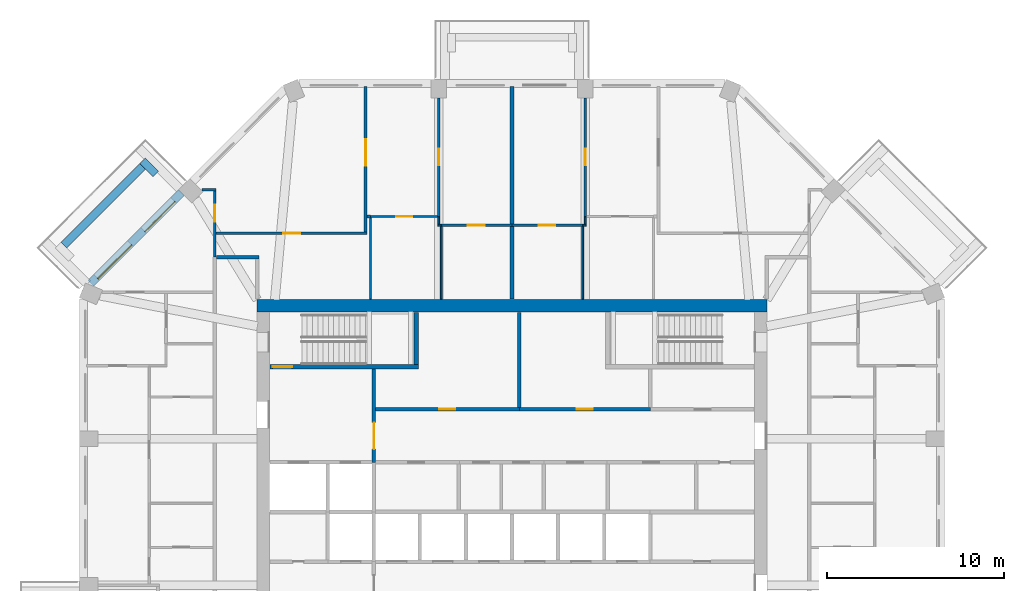
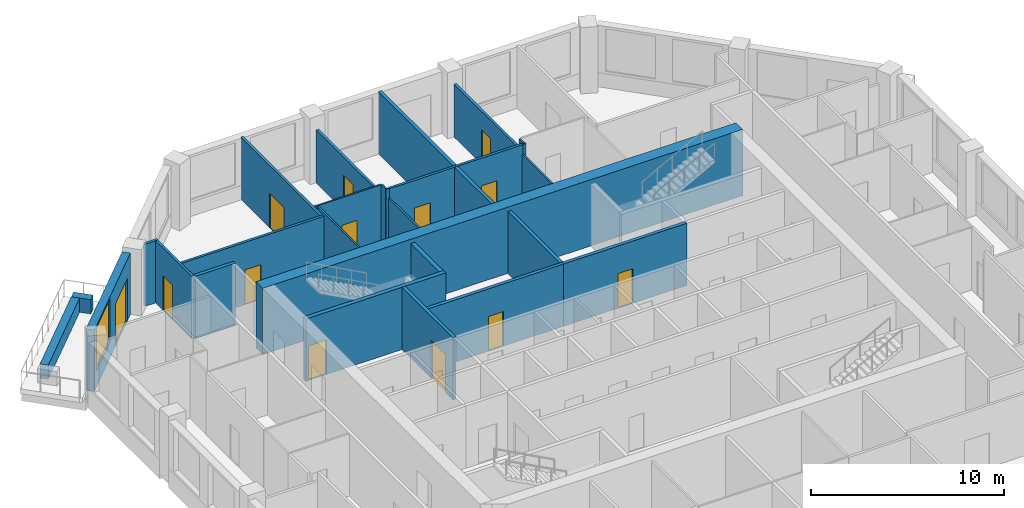
# One storey, part 7 of 10: 29 walls, 13 doors, 1 window, 14 openings.
"""IFC4 building model written with IfcOpenShell, lengths in metres."""

from ifc_helpers import new_model, si_unit, direction, frame, frame_2d, origin, place, context, subcontext, project, spatial, rectangle, extrude, material, layer, layer_set, type_object, element, fill, save


model = new_model("IFC4")

# Units and contexts
model_context = context("Model", 3, precision=1e-05, world=origin(), true_north=direction((0.0, 1.0)))
body_context = subcontext(model_context, "Body", "Model", "MODEL_VIEW")
ifc_project = project(units=[si_unit("LENGTHUNIT", "METRE"), si_unit("AREAUNIT", "SQUARE_METRE"), si_unit("VOLUMEUNIT", "CUBIC_METRE"), si_unit("PLANEANGLEUNIT", "RADIAN"), si_unit("MASSUNIT", "GRAM", prefix="KILO")], contexts=[model_context])

# Site, building, storey
site_placement = place(None, origin())
site = spatial("IfcSite", under=ifc_project, at=site_placement, CompositionType="ELEMENT")
building_placement = place(site_placement, origin())
building = spatial("IfcBuilding", under=site, at=building_placement, Name="Msitu Wima Residences", CompositionType="ELEMENT")
storey_placement = place(building_placement, frame((0.0, 0.0, 191.699951171875)))
storey = spatial("IfcBuildingStorey", under=building, at=storey_placement, Name="L44", CompositionType="ELEMENT", Elevation=191.699951171875)

# Walls
ifc_material_1 = material(Name="Facing brick")
ifc_layer_1 = layer(ifc_material_1, 0.06494140625, Name="Facing brick")
ifc_material_2 = material(Name="Concrete C40/50", Category="concrete")
ifc_layer_2 = layer(ifc_material_2, 0.156005859375, Name="Concrete C40/50")
ifc_material_3 = material(Name="Waterproofing membrane")
ifc_layer_3 = layer(ifc_material_3, 0.00390625, Name="Waterproofing membrane")
ifc_material_4 = material(Name="Planting soil and planting")
ifc_layer_4 = layer(ifc_material_4, 0.22509765625, Name="Planting soil and planting")
ifc_layer_set_1 = layer_set([ifc_layer_1, ifc_layer_2, ifc_layer_3, ifc_layer_4], Name="Concrete C40/50")
wall_type_1 = type_object("IfcWallType", Name="Balcony planter PLANTER PL450", PredefinedType="USERDEFINED", material=ifc_layer_set_1)
wall_1_placement = place(storey_placement, frame((-20.875244140625, 19.53173828125, 0.0), z_axis=(0.0, 0.0, 1.0), x_axis=(-0.707106781187, -0.707106781187, 0.0)))
element("IfcWall", 1, at=wall_1_placement, inside=storey, type_object=wall_type_1, Name="Balcony planter NW1 L44", ObjectType="PLANTER", PredefinedType="USERDEFINED", context=body_context, shape_type="SweptSolid", body=[
    extrude(rectangle(XDim=6.294189453125, YDim=0.449951171875, at=frame_2d((3.14697265625, 0.0))), origin(), (0.0, 0.0, 1.0), 0.900146484375),
])
wall_2_placement = place(storey_placement, frame((-20.1328125, 19.107421875, 0.0), z_axis=(0.0, 0.0, 1.0), x_axis=(-0.707106781187, 0.707106781187, 0.0)))
element("IfcWall", 2, at=wall_2_placement, inside=storey, type_object=wall_type_1, Name="Balcony planter NW1 L44", ObjectType="PLANTER", PredefinedType="USERDEFINED", context=body_context, shape_type="SweptSolid", body=[
    extrude(rectangle(XDim=1.050048828125, YDim=0.449951171875, at=frame_2d((0.52490234375, 0.0))), origin(), (0.0, 0.0, 1.0), 0.900146484375),
])

# Wall, openings, door, window
ifc_material_5 = material(Name="Brick (red buff mix)", Category="masonry")
ifc_layer_5 = layer(ifc_material_5, 0.449951171875)
ifc_layer_set_2 = layer_set([ifc_layer_5], Name="Brick (red buff mix)")
wall_type_2 = type_object("IfcWallType", Name="Brick infill wall BW450", PredefinedType="SOLIDWALL", material=ifc_layer_set_2)
wall_3_placement = place(storey_placement, frame((-18.68310546875, 18.046875, 0.0), z_axis=(0.0, 0.0, 1.0), x_axis=(-0.707106781187, -0.707106781187, 0.0)))
wall_3 = element("IfcWall", 3, at=wall_3_placement, inside=storey, type_object=wall_type_2, Name="Brick infill wall L44 NW1", PredefinedType="SOLIDWALL", context=body_context, shape_type="SweptSolid", body=[
    extrude(rectangle(XDim=7.257080078125, YDim=0.449951171875, at=frame_2d((3.62841796875, 0.0))), origin(), (0.0, 0.0, 1.0), 3.900146484375),
])
opening_1_placement = place(wall_3_placement, frame((0.6142578125, 0.0, 0.0)))
opening_1 = element("IfcOpeningElement", 4, at=opening_1_placement, cuts=wall_3, Name="Opening D43-45.004", PredefinedType="OPENING", context=body_context, shape_type="SweptSolid", body=[
    extrude(rectangle(XDim=2.39990234375, YDim=2.699951171875, at=frame_2d((1.199951171875, 1.35009765625))), frame((0.0, 0.23486328125, 0.0), z_axis=(0.0, -1.0, 0.0), x_axis=(1.0, 0.0, 0.0)), (0.0, 0.0, 1.0), 0.469970703125),
])
opening_2_placement = place(wall_3_placement, frame((4.07861328125, 0.0, 1.050048828125)))
opening_2 = element("IfcOpeningElement", 5, at=opening_2_placement, cuts=wall_3, Name="Opening W43-45.016", PredefinedType="OPENING", context=body_context, shape_type="SweptSolid", body=[
    extrude(rectangle(XDim=2.699951171875, YDim=2.699951171875, at=frame_2d((1.35009765625, 1.35009765625))), frame((0.0, 0.23486328125, 0.0), z_axis=(0.0, -1.0, 0.0), x_axis=(1.0, 0.0, 0.0)), (0.0, 0.0, 1.0), 0.469970703125),
])
ifc_material_6 = material(Name="Anodised aluminium, bronze finish, clear low-emissivity double glazing", Category="aluminium")
door_type_1 = type_object("IfcDoorType", Name="Balcony door D2400x2700", OperationType="SLIDING_TO_LEFT", PredefinedType="DOOR", material=ifc_material_6)
door_1_placement = place(opening_1_placement, origin())
door_1 = element("IfcDoor", 6, at=door_1_placement, inside=storey, type_object=door_type_1, Name="Balcony door L44 NW1", OperationType="SINGLE_SWING_LEFT", OverallHeight=2.699951171875, OverallWidth=2.39990234375, PredefinedType="DOOR", context=body_context, shape_type="SweptSolid", body=[
    extrude(rectangle(XDim=2.39990234375, YDim=2.699951171875, at=frame_2d((1.199951171875, 1.35009765625))), frame((0.0, 0.1298828125, 0.0), z_axis=(0.0, -1.0, 0.0), x_axis=(1.0, 0.0, 0.0)), (0.0, 0.0, 1.0), 0.050048828125),
])
fill(opening_1, door_1)
window_type = type_object("IfcWindowType", Name="Window W2700x2700", PartitioningType="DOUBLE_PANEL_VERTICAL", PredefinedType="WINDOW", material=ifc_material_6)
window_placement = place(opening_2_placement, origin())
window = element("IfcWindow", 7, at=window_placement, inside=storey, type_object=window_type, Name="Window L44 NW1.2", OverallHeight=2.699951171875, OverallWidth=2.699951171875, PartitioningType="SINGLE_PANEL", PredefinedType="WINDOW", context=body_context, shape_type="SweptSolid", body=[
    extrude(rectangle(XDim=2.699951171875, YDim=2.699951171875, at=frame_2d((1.35009765625, 1.35009765625))), frame((0.0, 0.135009765625, 0.0), z_axis=(0.0, -1.0, 0.0), x_axis=(1.0, 0.0, 0.0)), (0.0, 0.0, 1.0), 0.06005859375),
])
fill(opening_2, window)

# Walls
ifc_material_7 = material(Name="Concrete C60/75", Category="concrete")
ifc_layer_6 = layer(ifc_material_7, 0.699951171875)
ifc_layer_set_3 = layer_set([ifc_layer_6], Name="Concrete C60/75")
wall_type_3 = type_object("IfcWallType", Name="Core wall CW700 C60/75", PredefinedType="SHEAR", material=ifc_layer_set_3)
wall_4_placement = place(storey_placement, frame((-14.39990234375, 11.64990234375, 0.0), z_axis=(0.0, 0.0, 1.0), x_axis=(1.0, 0.0, 0.0)))
element("IfcWall", 8, at=wall_4_placement, inside=storey, type_object=wall_type_3, Name="Core wall", PredefinedType="SHEAR", context=body_context, shape_type="SweptSolid", body=[
    extrude(rectangle(XDim=28.7998046875, YDim=0.699951171875, at=frame_2d((14.39990234375, 0.0))), origin(), (0.0, 0.0, 1.0), 4.199951171875),
])
ifc_material_8 = material(Name="Plaster")
ifc_layer_7 = layer(ifc_material_8, 0.011962890625, Name="Plaster")
ifc_material_9 = material(Name="Concrete blockwork", Category="masonry")
ifc_layer_8 = layer(ifc_material_9, 0.176025390625, Name="Concrete blockwork")
ifc_layer_9 = layer(ifc_material_8, 0.011962890625, Name="Plaster")
ifc_layer_set_4 = layer_set([ifc_layer_7, ifc_layer_8, ifc_layer_9], Name="Concrete blockwork")
wall_type_4 = type_object("IfcWallType", Name="Corridor wall FW200", PredefinedType="PARTITIONING", material=ifc_layer_set_4)
wall_5_placement = place(storey_placement, frame((-16.699951171875, 14.39990234375, 0.0), z_axis=(0.0, 0.0, 1.0), x_axis=(1.0, 0.0, 0.0)))
element("IfcWall", 9, at=wall_5_placement, inside=storey, type_object=wall_type_4, Name="Corridor wall", PredefinedType="PARTITIONING", context=body_context, shape_type="SweptSolid", body=[
    extrude(rectangle(XDim=2.39990234375, YDim=0.199951171875, at=frame_2d((1.199951171875, 0.0))), origin(), (0.0, 0.0, 1.0), 3.949951171875),
])

# Wall, opening, door
wall_6_placement = place(storey_placement, frame((-7.800048828125, 2.800048828125, 0.0), z_axis=(0.0, 0.0, 1.0), x_axis=(0.0, 1.0, 0.0)))
wall_6 = element("IfcWall", 10, at=wall_6_placement, inside=storey, type_object=wall_type_4, Name="Corridor wall", PredefinedType="PARTITIONING", context=body_context, shape_type="SweptSolid", body=[
    extrude(rectangle(XDim=5.27490234375, YDim=0.199951171875, at=frame_2d((2.637451171875, 0.0))), origin(), (0.0, 0.0, 1.0), 3.949951171875),
])
opening_3_placement = place(wall_6_placement, frame((0.75, 0.0, 0.0)))
opening_3 = element("IfcOpeningElement", 11, at=opening_3_placement, cuts=wall_6, Name="Opening D43-45.052", PredefinedType="OPENING", context=body_context, shape_type="SweptSolid", body=[
    extrude(rectangle(XDim=1.5, YDim=2.39990234375, at=frame_2d((0.75, 1.199951171875))), frame((0.0, 0.10986328125, 0.0), z_axis=(0.0, -1.0, 0.0), x_axis=(1.0, 0.0, 0.0)), (0.0, 0.0, 1.0), 0.219970703125),
])
ifc_material_10 = material(Name="Steel framed glazed door, fire resisting", Category="steel")
door_type_2 = type_object("IfcDoorType", Name="Lobby door D07 1500x2400", OperationType="DOUBLE_DOOR_SINGLE_SWING", PredefinedType="DOOR", material=ifc_material_10)
door_2_placement = place(opening_3_placement, origin())
door_2 = element("IfcDoor", 12, at=door_2_placement, inside=storey, type_object=door_type_2, Name="Lobby door", OperationType="DOUBLE_DOOR_SINGLE_SWING", OverallHeight=2.39990234375, OverallWidth=1.5, PredefinedType="DOOR", context=body_context, shape_type="SweptSolid", body=[
    extrude(rectangle(XDim=1.5, YDim=2.39990234375, at=frame_2d((0.75, 1.199951171875))), frame((0.0, 0.02490234375, 0.0), z_axis=(0.0, -1.0, 0.0), x_axis=(1.0, 0.0, 0.0)), (0.0, 0.0, 1.0), 0.050048828125),
])
fill(opening_3, door_2)

wall_7_placement = place(storey_placement, frame((-7.699951171875, 5.800048828125, 0.0), z_axis=(0.0, 0.0, 1.0), x_axis=(1.0, 0.0, 0.0)))
wall_7 = element("IfcWall", 13, at=wall_7_placement, inside=storey, type_object=wall_type_4, Name="Corridor wall", PredefinedType="PARTITIONING", context=body_context, shape_type="SweptSolid", body=[
    extrude(rectangle(XDim=8.119873046875, YDim=0.199951171875, at=frame_2d((4.06005859375, 0.0))), origin(), (0.0, 0.0, 1.0), 3.949951171875),
])
opening_4_placement = place(wall_7_placement, frame((3.60009765625, 0.0, 0.0)))
opening_4 = element("IfcOpeningElement", 14, at=opening_4_placement, cuts=wall_7, Name="Opening D43-45.055", PredefinedType="OPENING", context=body_context, shape_type="SweptSolid", body=[
    extrude(rectangle(XDim=0.89990234375, YDim=2.199951171875, at=frame_2d((0.449951171875, 1.10009765625))), frame((0.0, 0.10986328125, 0.0), z_axis=(0.0, -1.0, 0.0), x_axis=(1.0, 0.0, 0.0)), (0.0, 0.0, 1.0), 0.219970703125),
])
ifc_material_11 = material(Name="Timber flush door", Category="wood")
door_type_3 = type_object("IfcDoorType", Name="Service door D05 900x2200", OperationType="SINGLE_SWING_LEFT", PredefinedType="DOOR", material=ifc_material_11)
door_3_placement = place(opening_4_placement, origin())
door_3 = element("IfcDoor", 15, at=door_3_placement, inside=storey, type_object=door_type_3, Name="Service door", OperationType="SINGLE_SWING_LEFT", OverallHeight=2.199951171875, OverallWidth=0.89990234375, PredefinedType="DOOR", context=body_context, shape_type="SweptSolid", body=[
    extrude(rectangle(XDim=0.89990234375, YDim=2.199951171875, at=frame_2d((0.449951171875, 1.10009765625))), frame((0.0, 0.02490234375, 0.0), z_axis=(0.0, -1.0, 0.0), x_axis=(1.0, 0.0, 0.0)), (0.0, 0.0, 1.0), 0.050048828125),
])
fill(opening_4, door_3)

# Wall
ifc_layer_10 = layer(ifc_material_8, 0.011962890625, Name="Plaster")
ifc_layer_11 = layer(ifc_material_9, 0.1259765625, Name="Concrete blockwork")
ifc_layer_12 = layer(ifc_material_8, 0.011962890625, Name="Plaster")
ifc_layer_set_5 = layer_set([ifc_layer_10, ifc_layer_11, ifc_layer_12], Name="Concrete blockwork")
wall_type_5 = type_object("IfcWallType", Name="Partition PW150", PredefinedType="PARTITIONING", material=ifc_layer_set_5)
wall_8_placement = place(storey_placement, frame((-17.509521484375, 18.205810546875, 0.0), z_axis=(0.0, 0.0, 1.0), x_axis=(1.0, 0.0, 0.0)))
element("IfcWall", 16, at=wall_8_placement, inside=storey, type_object=wall_type_5, Name="Partition", PredefinedType="PARTITIONING", context=body_context, shape_type="SweptSolid", body=[
    extrude(rectangle(XDim=0.784423828125, YDim=0.14990234375, at=frame_2d((0.39208984375, 0.0))), origin(), (0.0, 0.0, 1.0), 3.949951171875),
])

# Wall, opening, door
wall_9_placement = place(storey_placement, frame((-16.800048828125, 14.39990234375, 0.0), z_axis=(0.0, 0.0, 1.0), x_axis=(0.0, 1.0, 0.0)))
wall_9 = element("IfcWall", 17, at=wall_9_placement, inside=storey, type_object=wall_type_5, Name="Partition", PredefinedType="PARTITIONING", context=body_context, shape_type="SweptSolid", body=[
    extrude(rectangle(XDim=3.73095703125, YDim=0.14990234375, at=frame_2d((1.865478515625, 0.0))), origin(), (0.0, 0.0, 1.0), 3.949951171875),
])
opening_5_placement = place(wall_9_placement, frame((2.0, 0.0, 0.0)))
opening_5 = element("IfcOpeningElement", 18, at=opening_5_placement, cuts=wall_9, Name="Opening D43-45.049", PredefinedType="OPENING", context=body_context, shape_type="SweptSolid", body=[
    extrude(rectangle(XDim=0.949951171875, YDim=2.199951171875, at=frame_2d((0.47509765625, 1.10009765625))), frame((0.0, 0.0849609375, 0.0), z_axis=(0.0, -1.0, 0.0), x_axis=(1.0, 0.0, 0.0)), (0.0, 0.0, 1.0), 0.169921875),
])
door_type_4 = type_object("IfcDoorType", Name="Room door D12 950x2200", OperationType="SINGLE_SWING_LEFT", PredefinedType="DOOR", material=ifc_material_11)
door_4_placement = place(opening_5_placement, origin())
door_4 = element("IfcDoor", 19, at=door_4_placement, inside=storey, type_object=door_type_4, Name="Room door", OperationType="SINGLE_SWING_RIGHT", OverallHeight=2.199951171875, OverallWidth=0.949951171875, PredefinedType="DOOR", context=body_context, shape_type="SweptSolid", body=[
    extrude(rectangle(XDim=0.949951171875, YDim=2.199951171875, at=frame_2d((0.47509765625, 1.10009765625))), frame((0.0, 0.02490234375, 0.0), z_axis=(0.0, -1.0, 0.0), x_axis=(1.0, 0.0, 0.0)), (0.0, 0.0, 1.0), 0.050048828125),
])
fill(opening_5, door_4)

wall_10_placement = place(storey_placement, frame((-16.72509765625, 15.75, 0.0), z_axis=(0.0, 0.0, 1.0), x_axis=(1.0, 0.0, 0.0)))
wall_10 = element("IfcWall", 20, at=wall_10_placement, inside=storey, type_object=wall_type_5, Name="Partition", PredefinedType="PARTITIONING", context=body_context, shape_type="SweptSolid", body=[
    extrude(rectangle(XDim=8.525634765625, YDim=0.14990234375, at=frame_2d((4.2626953125, 0.0))), origin(), (0.0, 0.0, 1.0), 3.949951171875),
])
opening_6_placement = place(wall_10_placement, frame((3.800048828125, 0.0, 0.0)))
opening_6 = element("IfcOpeningElement", 21, at=opening_6_placement, cuts=wall_10, Name="Opening D43-45.035", PredefinedType="OPENING", context=body_context, shape_type="SweptSolid", body=[
    extrude(rectangle(XDim=0.949951171875, YDim=2.199951171875, at=frame_2d((0.47509765625, 1.10009765625))), frame((0.0, 0.0849609375, 0.0), z_axis=(0.0, -1.0, 0.0), x_axis=(1.0, 0.0, 0.0)), (0.0, 0.0, 1.0), 0.169921875),
])
door_5_placement = place(opening_6_placement, origin())
door_5 = element("IfcDoor", 22, at=door_5_placement, inside=storey, type_object=door_type_4, Name="Room door", OperationType="SINGLE_SWING_RIGHT", OverallHeight=2.199951171875, OverallWidth=0.949951171875, PredefinedType="DOOR", context=body_context, shape_type="SweptSolid", body=[
    extrude(rectangle(XDim=0.949951171875, YDim=2.199951171875, at=frame_2d((0.47509765625, 1.10009765625))), frame((0.0, 0.02490234375, 0.0), z_axis=(0.0, -1.0, 0.0), x_axis=(1.0, 0.0, 0.0)), (0.0, 0.0, 1.0), 0.050048828125),
])
fill(opening_6, door_5)

wall_11_placement = place(storey_placement, frame((-8.2744140625, 15.824951171875, 0.0), z_axis=(0.0, 0.0, 1.0), x_axis=(0.0, 1.0, 0.0)))
wall_11 = element("IfcWall", 23, at=wall_11_placement, inside=storey, type_object=wall_type_5, Name="Partition", PredefinedType="PARTITIONING", context=body_context, shape_type="SweptSolid", body=[
    extrude(rectangle(XDim=8.22998046875, YDim=0.14990234375, at=frame_2d((4.114990234375, 0.0))), origin(), (0.0, 0.0, 1.0), 3.949951171875),
])
opening_7_placement = place(wall_11_placement, frame((3.75, 0.0, 0.0)))
opening_7 = element("IfcOpeningElement", 24, at=opening_7_placement, cuts=wall_11, Name="Opening D43-45.036", PredefinedType="OPENING", context=body_context, shape_type="SweptSolid", body=[
    extrude(rectangle(XDim=1.5, YDim=2.199951171875, at=frame_2d((0.75, 1.10009765625))), frame((0.0, 0.0849609375, 0.0), z_axis=(0.0, -1.0, 0.0), x_axis=(1.0, 0.0, 0.0)), (0.0, 0.0, 1.0), 0.169921875),
])
ifc_material_12 = material(Name="Timber double door", Category="wood")
door_type_5 = type_object("IfcDoorType", Name="Double door D04 1500x2200", OperationType="DOUBLE_DOOR_SINGLE_SWING", PredefinedType="DOOR", material=ifc_material_12)
door_6_placement = place(opening_7_placement, origin())
door_6 = element("IfcDoor", 25, at=door_6_placement, inside=storey, type_object=door_type_5, Name="Double door", OperationType="DOUBLE_DOOR_SINGLE_SWING", OverallHeight=2.199951171875, OverallWidth=1.5, PredefinedType="DOOR", context=body_context, shape_type="SweptSolid", body=[
    extrude(rectangle(XDim=1.5, YDim=2.199951171875, at=frame_2d((0.75, 1.10009765625))), frame((0.0, 0.02490234375, 0.0), z_axis=(0.0, -1.0, 0.0), x_axis=(1.0, 0.0, 0.0)), (0.0, 0.0, 1.0), 0.050048828125),
])
fill(opening_7, door_6)

# Wall
wall_12_placement = place(storey_placement, frame((-8.199462890625, 16.699951171875, 0.0), z_axis=(0.0, 0.0, 1.0), x_axis=(1.0, 0.0, 0.0)))
element("IfcWall", 26, at=wall_12_placement, inside=storey, type_object=wall_type_5, Name="Partition", PredefinedType="PARTITIONING", context=body_context, shape_type="SweptSolid", body=[
    extrude(rectangle(XDim=0.199462890625, YDim=0.14990234375, at=frame_2d((0.099609375, 0.0))), origin(), (0.0, 0.0, 1.0), 3.949951171875),
])

# Wall, opening, door
wall_13_placement = place(storey_placement, frame((-4.13720703125, 16.679931640625, 0.0), z_axis=(0.0, 0.0, 1.0), x_axis=(0.0, 1.0, 0.0)))
wall_13 = element("IfcWall", 27, at=wall_13_placement, inside=storey, type_object=wall_type_5, Name="Partition", PredefinedType="PARTITIONING", context=body_context, shape_type="SweptSolid", body=[
    extrude(rectangle(XDim=6.719970703125, YDim=0.14990234375, at=frame_2d((3.35986328125, 0.0))), origin(), (0.0, 0.0, 1.0), 3.35009765625),
])
opening_8_placement = place(wall_13_placement, frame((2.89990234375, 0.0, 0.0)))
opening_8 = element("IfcOpeningElement", 28, at=opening_8_placement, cuts=wall_13, Name="Opening D43-45.040", PredefinedType="OPENING", context=body_context, shape_type="SweptSolid", body=[
    extrude(rectangle(XDim=0.949951171875, YDim=2.199951171875, at=frame_2d((0.47509765625, 1.10009765625))), frame((0.0, 0.0849609375, 0.0), z_axis=(0.0, -1.0, 0.0), x_axis=(1.0, 0.0, 0.0)), (0.0, 0.0, 1.0), 0.169921875),
])
door_7_placement = place(opening_8_placement, origin())
door_7 = element("IfcDoor", 29, at=door_7_placement, inside=storey, type_object=door_type_4, Name="Room door", OperationType="SINGLE_SWING_LEFT", OverallHeight=2.199951171875, OverallWidth=0.949951171875, PredefinedType="DOOR", context=body_context, shape_type="SweptSolid", body=[
    extrude(rectangle(XDim=0.949951171875, YDim=2.199951171875, at=frame_2d((0.47509765625, 1.10009765625))), frame((0.0, 0.02490234375, 0.0), z_axis=(0.0, -1.0, 0.0), x_axis=(1.0, 0.0, 0.0)), (0.0, 0.0, 1.0), 0.050048828125),
])
fill(opening_8, door_7)

wall_14_placement = place(storey_placement, frame((-4.0, 16.199951171875, 0.0), z_axis=(0.0, 0.0, 1.0), x_axis=(1.0, 0.0, 0.0)))
wall_14 = element("IfcWall", 30, at=wall_14_placement, inside=storey, type_object=wall_type_5, Name="Partition", PredefinedType="PARTITIONING", context=body_context, shape_type="SweptSolid", body=[
    extrude(rectangle(XDim=4.0, YDim=0.14990234375, at=frame_2d((2.0, 0.0))), origin(), (0.0, 0.0, 1.0), 3.949951171875),
])
opening_9_placement = place(wall_14_placement, frame((1.5, 0.0, 0.0)))
opening_9 = element("IfcOpeningElement", 31, at=opening_9_placement, cuts=wall_14, Name="Opening D43-45.042", PredefinedType="OPENING", context=body_context, shape_type="SweptSolid", body=[
    extrude(rectangle(XDim=0.949951171875, YDim=2.199951171875, at=frame_2d((0.47509765625, 1.10009765625))), frame((0.0, 0.0849609375, 0.0), z_axis=(0.0, -1.0, 0.0), x_axis=(1.0, 0.0, 0.0)), (0.0, 0.0, 1.0), 0.169921875),
])
door_8_placement = place(opening_9_placement, origin())
door_8 = element("IfcDoor", 32, at=door_8_placement, inside=storey, type_object=door_type_4, Name="Room door", OperationType="SINGLE_SWING_RIGHT", OverallHeight=2.199951171875, OverallWidth=0.949951171875, PredefinedType="DOOR", context=body_context, shape_type="SweptSolid", body=[
    extrude(rectangle(XDim=0.949951171875, YDim=2.199951171875, at=frame_2d((0.47509765625, 1.10009765625))), frame((0.0, 0.02490234375, 0.0), z_axis=(0.0, -1.0, 0.0), x_axis=(1.0, 0.0, 0.0)), (0.0, 0.0, 1.0), 0.050048828125),
])
fill(opening_9, door_8)

wall_15_placement = place(storey_placement, frame((0.0, 16.199951171875, 0.0), z_axis=(0.0, 0.0, 1.0), x_axis=(1.0, 0.0, 0.0)))
wall_15 = element("IfcWall", 33, at=wall_15_placement, inside=storey, type_object=wall_type_5, Name="Partition", PredefinedType="PARTITIONING", context=body_context, shape_type="SweptSolid", body=[
    extrude(rectangle(XDim=4.0, YDim=0.14990234375, at=frame_2d((2.0, 0.0))), origin(), (0.0, 0.0, 1.0), 3.949951171875),
])
opening_10_placement = place(wall_15_placement, frame((1.5, 0.0, 0.0)))
opening_10 = element("IfcOpeningElement", 34, at=opening_10_placement, cuts=wall_15, Name="Opening D43-45.021", PredefinedType="OPENING", context=body_context, shape_type="SweptSolid", body=[
    extrude(rectangle(XDim=0.949951171875, YDim=2.199951171875, at=frame_2d((0.47509765625, 1.10009765625))), frame((0.0, 0.0849609375, 0.0), z_axis=(0.0, -1.0, 0.0), x_axis=(1.0, 0.0, 0.0)), (0.0, 0.0, 1.0), 0.169921875),
])
door_9_placement = place(opening_10_placement, origin())
door_9 = element("IfcDoor", 35, at=door_9_placement, inside=storey, type_object=door_type_4, Name="Room door", OperationType="SINGLE_SWING_LEFT", OverallHeight=2.199951171875, OverallWidth=0.949951171875, PredefinedType="DOOR", context=body_context, shape_type="SweptSolid", body=[
    extrude(rectangle(XDim=0.949951171875, YDim=2.199951171875, at=frame_2d((0.47509765625, 1.10009765625))), frame((0.0, 0.02490234375, 0.0), z_axis=(0.0, -1.0, 0.0), x_axis=(1.0, 0.0, 0.0)), (0.0, 0.0, 1.0), 0.050048828125),
])
fill(opening_10, door_9)

wall_16_placement = place(storey_placement, frame((4.13720703125, 16.679931640625, 0.0), z_axis=(0.0, 0.0, 1.0), x_axis=(0.0, 1.0, 0.0)))
wall_16 = element("IfcWall", 36, at=wall_16_placement, inside=storey, type_object=wall_type_5, Name="Partition", PredefinedType="PARTITIONING", context=body_context, shape_type="SweptSolid", body=[
    extrude(rectangle(XDim=6.719970703125, YDim=0.14990234375, at=frame_2d((3.35986328125, 0.0))), origin(), (0.0, 0.0, 1.0), 3.35009765625),
])
opening_11_placement = place(wall_16_placement, frame((2.89990234375, 0.0, 0.0)))
opening_11 = element("IfcOpeningElement", 37, at=opening_11_placement, cuts=wall_16, Name="Opening D43-45.019", PredefinedType="OPENING", context=body_context, shape_type="SweptSolid", body=[
    extrude(rectangle(XDim=0.949951171875, YDim=2.199951171875, at=frame_2d((0.47509765625, 1.10009765625))), frame((0.0, 0.0849609375, 0.0), z_axis=(0.0, -1.0, 0.0), x_axis=(1.0, 0.0, 0.0)), (0.0, 0.0, 1.0), 0.169921875),
])
door_10_placement = place(opening_11_placement, origin())
door_10 = element("IfcDoor", 38, at=door_10_placement, inside=storey, type_object=door_type_4, Name="Room door", OperationType="SINGLE_SWING_RIGHT", OverallHeight=2.199951171875, OverallWidth=0.949951171875, PredefinedType="DOOR", context=body_context, shape_type="SweptSolid", body=[
    extrude(rectangle(XDim=0.949951171875, YDim=2.199951171875, at=frame_2d((0.47509765625, 1.10009765625))), frame((0.0, 0.02490234375, 0.0), z_axis=(0.0, -1.0, 0.0), x_axis=(1.0, 0.0, 0.0)), (0.0, 0.0, 1.0), 0.050048828125),
])
fill(opening_11, door_10)

# Wall
ifc_layer_13 = layer(ifc_material_8, 0.011962890625, Name="Plaster")
ifc_material_13 = material(Name="Dense concrete blockwork", Category="masonry")
ifc_layer_14 = layer(ifc_material_13, 0.176025390625, Name="Dense concrete blockwork")
ifc_layer_15 = layer(ifc_material_8, 0.011962890625, Name="Plaster")
ifc_layer_set_6 = layer_set([ifc_layer_13, ifc_layer_14, ifc_layer_15], Name="Dense concrete blockwork")
wall_type_6 = type_object("IfcWallType", Name="Party wall PW200", PredefinedType="PARTITIONING", material=ifc_layer_set_6)
wall_17_placement = place(storey_placement, frame((0.0, 12.030029296875, 0.0), z_axis=(0.0, 0.0, 1.0), x_axis=(0.0, 1.0, 0.0)))
element("IfcWall", 39, at=wall_17_placement, inside=storey, type_object=wall_type_6, Name="Party wall", PredefinedType="PARTITIONING", context=body_context, shape_type="SweptSolid", body=[
    extrude(rectangle(XDim=12.02490234375, YDim=0.199951171875, at=frame_2d((6.012451171875, 0.0))), origin(), (0.0, 0.0, 1.0), 3.949951171875),
])

# Wall, opening, door
ifc_layer_16 = layer(ifc_material_8, 0.011962890625, Name="Plaster")
ifc_material_14 = material(Name="Reinforced concrete blockwork", Category="masonry")
ifc_layer_17 = layer(ifc_material_14, 0.176025390625, Name="Reinforced concrete blockwork")
ifc_layer_18 = layer(ifc_material_8, 0.011962890625, Name="Plaster")
ifc_layer_set_7 = layer_set([ifc_layer_16, ifc_layer_17, ifc_layer_18], Name="Reinforced concrete blockwork")
wall_type_7 = type_object("IfcWallType", Name="Plant and riser wall PL200", PredefinedType="PARTITIONING", material=ifc_layer_set_7)
wall_18_placement = place(storey_placement, frame((0.419921875, 5.800048828125, 0.0), z_axis=(0.0, 0.0, 1.0), x_axis=(1.0, 0.0, 0.0)))
wall_18 = element("IfcWall", 40, at=wall_18_placement, inside=storey, type_object=wall_type_7, Name="Plant and riser wall", PredefinedType="PARTITIONING", context=body_context, shape_type="SweptSolid", body=[
    extrude(rectangle(XDim=7.400146484375, YDim=0.199951171875, at=frame_2d((3.7001953125, 0.0))), origin(), (0.0, 0.0, 1.0), 3.949951171875),
])
opening_12_placement = place(wall_18_placement, frame((3.25, 0.0, 0.0)))
opening_12 = element("IfcOpeningElement", 41, at=opening_12_placement, cuts=wall_18, Name="Opening D43-45.056", PredefinedType="OPENING", context=body_context, shape_type="SweptSolid", body=[
    extrude(rectangle(XDim=0.89990234375, YDim=2.199951171875, at=frame_2d((0.449951171875, 1.10009765625))), frame((0.0, 0.10986328125, 0.0), z_axis=(0.0, -1.0, 0.0), x_axis=(1.0, 0.0, 0.0)), (0.0, 0.0, 1.0), 0.219970703125),
])
door_11_placement = place(opening_12_placement, origin())
door_11 = element("IfcDoor", 42, at=door_11_placement, inside=storey, type_object=door_type_3, Name="Service door", OperationType="SINGLE_SWING_RIGHT", OverallHeight=2.199951171875, OverallWidth=0.89990234375, PredefinedType="DOOR", context=body_context, shape_type="SweptSolid", body=[
    extrude(rectangle(XDim=0.89990234375, YDim=2.199951171875, at=frame_2d((0.449951171875, 1.10009765625))), frame((0.0, 0.02490234375, 0.0), z_axis=(0.0, -1.0, 0.0), x_axis=(1.0, 0.0, 0.0)), (0.0, 0.0, 1.0), 0.050048828125),
])
fill(opening_12, door_11)

# Wall
wall_19_placement = place(storey_placement, frame((0.39990234375, 5.89990234375, 0.0), z_axis=(0.0, 0.0, 1.0), x_axis=(0.0, 1.0, 0.0)))
element("IfcWall", 43, at=wall_19_placement, inside=storey, type_object=wall_type_7, Name="Plant and riser wall", PredefinedType="PARTITIONING", context=body_context, shape_type="SweptSolid", body=[
    extrude(rectangle(XDim=5.3701171875, YDim=0.199951171875, at=frame_2d((2.68505859375, 0.0))), origin(), (0.0, 0.0, 1.0), 3.949951171875),
])

# Wall, opening, door
ifc_material_15 = material(Name="Concrete C50/60", Category="concrete")
ifc_layer_19 = layer(ifc_material_15, 0.25)
ifc_layer_set_8 = layer_set([ifc_layer_19], Name="Concrete C50/60")
wall_type_8 = type_object("IfcWallType", Name="Stair enclosure wall SW250", PredefinedType="SHEAR", material=ifc_layer_set_8)
wall_20_placement = place(storey_placement, frame((-13.669921875, 8.199951171875, 0.0), z_axis=(0.0, 0.0, 1.0), x_axis=(1.0, 0.0, 0.0)))
wall_20 = element("IfcWall", 44, at=wall_20_placement, inside=storey, type_object=wall_type_8, Name="Stair enclosure wall", PredefinedType="SHEAR", context=body_context, shape_type="SweptSolid", body=[
    extrude(rectangle(XDim=8.39501953125, YDim=0.25, at=frame_2d((4.197509765625, 0.0))), origin(), (0.0, 0.0, 1.0), 3.949951171875),
])
opening_13_placement = place(wall_20_placement, frame((0.14990234375, 0.0, 0.0)))
opening_13 = element("IfcOpeningElement", 45, at=opening_13_placement, cuts=wall_20, Name="Opening D43-45.070", PredefinedType="OPENING", context=body_context, shape_type="SweptSolid", body=[
    extrude(rectangle(XDim=1.10009765625, YDim=2.199951171875, at=frame_2d((0.550048828125, 1.10009765625))), frame((0.0, 0.135009765625, 0.0), z_axis=(0.0, -1.0, 0.0), x_axis=(1.0, 0.0, 0.0)), (0.0, 0.0, 1.0), 0.27001953125),
])
ifc_material_16 = material(Name="Steel door, fire resisting, panic bar", Category="steel")
door_type_6 = type_object("IfcDoorType", Name="Stair door D06 1100x2200", OperationType="SINGLE_SWING_LEFT", PredefinedType="DOOR", material=ifc_material_16)
door_12_placement = place(opening_13_placement, origin())
door_12 = element("IfcDoor", 46, at=door_12_placement, inside=storey, type_object=door_type_6, Name="Stair door", OperationType="SINGLE_SWING_LEFT", OverallHeight=2.199951171875, OverallWidth=1.10009765625, PredefinedType="DOOR", context=body_context, shape_type="SweptSolid", body=[
    extrude(rectangle(XDim=1.10009765625, YDim=2.199951171875, at=frame_2d((0.550048828125, 1.10009765625))), frame((0.0, 0.02490234375, 0.0), z_axis=(0.0, -1.0, 0.0), x_axis=(1.0, 0.0, 0.0)), (0.0, 0.0, 1.0), 0.050048828125),
])
fill(opening_13, door_12)

# Walls
wall_21_placement = place(storey_placement, frame((-5.39990234375, 8.324951171875, 0.0), z_axis=(0.0, 0.0, 1.0), x_axis=(0.0, 1.0, 0.0)))
element("IfcWall", 47, at=wall_21_placement, inside=storey, type_object=wall_type_8, Name="Stair enclosure wall", PredefinedType="SHEAR", context=body_context, shape_type="SweptSolid", body=[
    extrude(rectangle(XDim=2.945068359375, YDim=0.25, at=frame_2d((1.47265625, 0.0))), origin(), (0.0, 0.0, 1.0), 3.949951171875),
])
ifc_material_17 = material(Name="Ceramic tiles")
ifc_layer_20 = layer(ifc_material_17, 0.008056640625, Name="Ceramic tiles")
ifc_material_18 = material(Name="Moisture-resistant board")
ifc_layer_21 = layer(ifc_material_18, 0.012451171875, Name="Moisture-resistant board")
ifc_material_19 = material(Name="Light-gauge stud framing with mineral wool")
ifc_layer_22 = layer(ifc_material_19, 0.06689453125, Name="Light-gauge stud framing with mineral wool")
ifc_layer_23 = layer(ifc_material_18, 0.012451171875, Name="Moisture-resistant board")
ifc_layer_set_9 = layer_set([ifc_layer_20, ifc_layer_21, ifc_layer_22, ifc_layer_23], Name="Light-gauge stud framing with mineral wool")
wall_type_9 = type_object("IfcWallType", Name="Wet wall PW100", PredefinedType="PARTITIONING", material=ifc_layer_set_9)
wall_22_placement = place(storey_placement, frame((-8.0, 12.030029296875, 0.0), z_axis=(0.0, 0.0, 1.0), x_axis=(0.0, 1.0, 0.0)))
element("IfcWall", 48, at=wall_22_placement, inside=storey, type_object=wall_type_9, Name="Wet wall", PredefinedType="PARTITIONING", context=body_context, shape_type="SweptSolid", body=[
    extrude(rectangle(XDim=4.594970703125, YDim=0.10009765625, at=frame_2d((2.29736328125, 0.0))), origin(), (0.0, 0.0, 1.0), 3.949951171875),
])

# Wall, opening, door
wall_23_placement = place(storey_placement, frame((-8.0, 16.699951171875, 0.0), z_axis=(0.0, 0.0, 1.0), x_axis=(1.0, 0.0, 0.0)))
wall_23 = element("IfcWall", 49, at=wall_23_placement, inside=storey, type_object=wall_type_9, Name="Wet wall", PredefinedType="PARTITIONING", context=body_context, shape_type="SweptSolid", body=[
    extrude(rectangle(XDim=3.787841796875, YDim=0.10009765625, at=frame_2d((1.89404296875, 0.0))), origin(), (0.0, 0.0, 1.0), 3.949951171875),
])
opening_14_placement = place(wall_23_placement, frame((1.449951171875, 0.0, 0.0)))
opening_14 = element("IfcOpeningElement", 50, at=opening_14_placement, cuts=wall_23, Name="Opening D43-45.039", PredefinedType="OPENING", context=body_context, shape_type="SweptSolid", body=[
    extrude(rectangle(XDim=0.89990234375, YDim=2.199951171875, at=frame_2d((0.449951171875, 1.10009765625))), frame((0.0, 0.06005859375, 0.0), z_axis=(0.0, -1.0, 0.0), x_axis=(1.0, 0.0, 0.0)), (0.0, 0.0, 1.0), 0.1201171875),
])
ifc_material_20 = material(Name="Timber flush door, moisture resistant", Category="wood")
door_type_7 = type_object("IfcDoorType", Name="Bathroom door D03 900x2200", OperationType="SINGLE_SWING_LEFT", PredefinedType="DOOR", material=ifc_material_20)
door_13_placement = place(opening_14_placement, origin())
door_13 = element("IfcDoor", 51, at=door_13_placement, inside=storey, type_object=door_type_7, Name="Bathroom door", OperationType="SINGLE_SWING_RIGHT", OverallHeight=2.199951171875, OverallWidth=0.89990234375, PredefinedType="DOOR", context=body_context, shape_type="SweptSolid", body=[
    extrude(rectangle(XDim=0.89990234375, YDim=2.199951171875, at=frame_2d((0.449951171875, 1.10009765625))), frame((0.0, 0.02490234375, 0.0), z_axis=(0.0, -1.0, 0.0), x_axis=(1.0, 0.0, 0.0)), (0.0, 0.0, 1.0), 0.050048828125),
])
fill(opening_14, door_13)

# Walls
wall_24_placement = place(storey_placement, frame((-4.13720703125, 16.25, 0.0), z_axis=(0.0, 0.0, 1.0), x_axis=(0.0, 1.0, 0.0)))
element("IfcWall", 52, at=wall_24_placement, inside=storey, type_object=wall_type_9, Name="Wet wall", PredefinedType="PARTITIONING", context=body_context, shape_type="SweptSolid", body=[
    extrude(rectangle(XDim=0.429931640625, YDim=0.10009765625, at=frame_2d((0.21484375, 0.0))), origin(), (0.0, 0.0, 1.0), 3.949951171875),
])
wall_25_placement = place(storey_placement, frame((-4.187255859375, 16.199951171875, 0.0), z_axis=(0.0, 0.0, 1.0), x_axis=(1.0, 0.0, 0.0)))
element("IfcWall", 53, at=wall_25_placement, inside=storey, type_object=wall_type_9, Name="Wet wall", PredefinedType="PARTITIONING", context=body_context, shape_type="SweptSolid", body=[
    extrude(rectangle(XDim=0.187255859375, YDim=0.10009765625, at=frame_2d((0.09375, 0.0))), origin(), (0.0, 0.0, 1.0), 3.949951171875),
])
wall_26_placement = place(storey_placement, frame((-4.0, 12.030029296875, 0.0), z_axis=(0.0, 0.0, 1.0), x_axis=(0.0, 1.0, 0.0)))
element("IfcWall", 54, at=wall_26_placement, inside=storey, type_object=wall_type_9, Name="Wet wall", PredefinedType="PARTITIONING", context=body_context, shape_type="SweptSolid", body=[
    extrude(rectangle(XDim=4.119873046875, YDim=0.10009765625, at=frame_2d((2.06005859375, 0.0))), origin(), (0.0, 0.0, 1.0), 3.35009765625),
])
wall_27_placement = place(storey_placement, frame((4.0, 16.199951171875, 0.0), z_axis=(0.0, 0.0, 1.0), x_axis=(1.0, 0.0, 0.0)))
element("IfcWall", 55, at=wall_27_placement, inside=storey, type_object=wall_type_9, Name="Wet wall", PredefinedType="PARTITIONING", context=body_context, shape_type="SweptSolid", body=[
    extrude(rectangle(XDim=0.187255859375, YDim=0.10009765625, at=frame_2d((0.09375, 0.0))), origin(), (0.0, 0.0, 1.0), 3.949951171875),
])
wall_28_placement = place(storey_placement, frame((4.0, 12.030029296875, 0.0), z_axis=(0.0, 0.0, 1.0), x_axis=(0.0, 1.0, 0.0)))
element("IfcWall", 56, at=wall_28_placement, inside=storey, type_object=wall_type_9, Name="Wet wall", PredefinedType="PARTITIONING", context=body_context, shape_type="SweptSolid", body=[
    extrude(rectangle(XDim=4.094970703125, YDim=0.10009765625, at=frame_2d((2.04736328125, 0.0))), origin(), (0.0, 0.0, 1.0), 3.35009765625),
])
wall_29_placement = place(storey_placement, frame((4.13720703125, 16.25, 0.0), z_axis=(0.0, 0.0, 1.0), x_axis=(0.0, 1.0, 0.0)))
element("IfcWall", 57, at=wall_29_placement, inside=storey, type_object=wall_type_9, Name="Wet wall", PredefinedType="PARTITIONING", context=body_context, shape_type="SweptSolid", body=[
    extrude(rectangle(XDim=0.429931640625, YDim=0.10009765625, at=frame_2d((0.21484375, 0.0))), origin(), (0.0, 0.0, 1.0), 3.949951171875),
])

save(model, "model.ifc")
